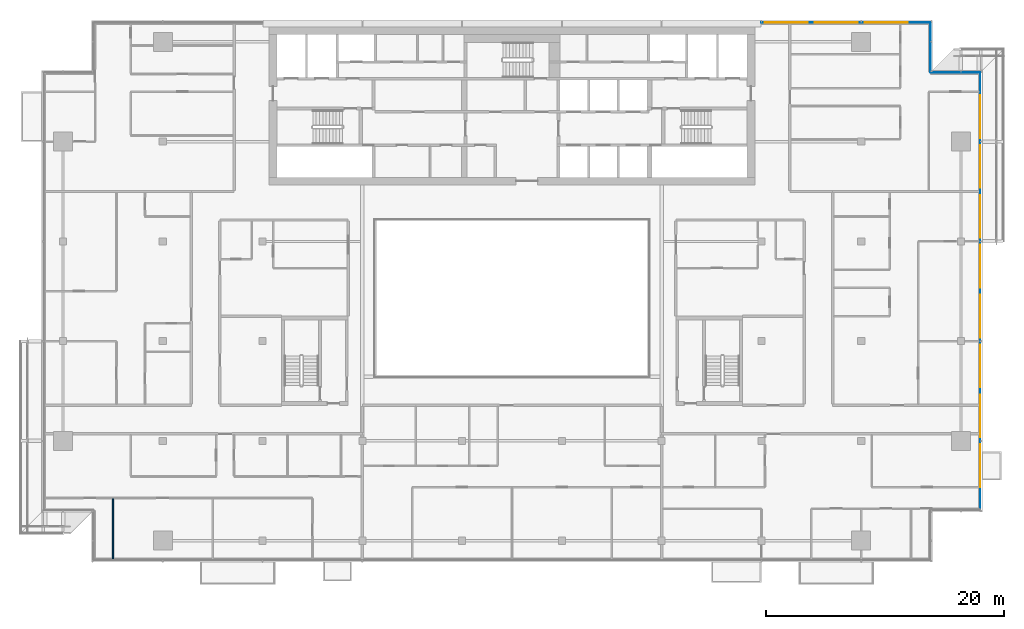
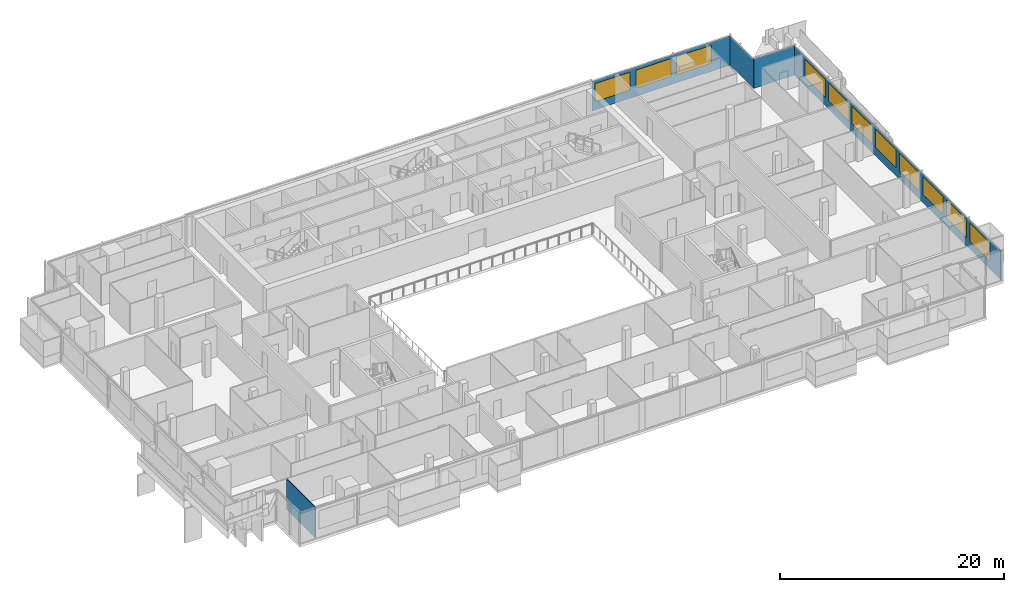
# One storey, part 17 of 30: 11 windows, 4 plates, 1 wall, 11 openings, 4 elements without a shape of their own.
"""IFC4 building model written with IfcOpenShell, lengths in metres."""

from ifc_helpers import new_model, si_unit, direction, frame, frame_2d, origin, place, context, subcontext, project, spatial, rectangle, extrude, material, layer, layer_set, type_object, element, fill, aggregate, save


model = new_model("IFC4")

# Units and contexts
model_context = context("Model", 3, precision=1e-05, world=origin(), true_north=direction((0.0, 1.0)))
body_context = subcontext(model_context, "Body", "Model", "MODEL_VIEW")
ifc_project = project(units=[si_unit("LENGTHUNIT", "METRE"), si_unit("AREAUNIT", "SQUARE_METRE"), si_unit("VOLUMEUNIT", "CUBIC_METRE"), si_unit("PLANEANGLEUNIT", "RADIAN"), si_unit("MASSUNIT", "GRAM", prefix="KILO")], contexts=[model_context])

# Site, building, storey
site_placement = place(None, origin())
site = spatial("IfcSite", under=ifc_project, at=site_placement, CompositionType="ELEMENT")
building_placement = place(site_placement, origin())
building = spatial("IfcBuilding", under=site, at=building_placement, Name="Saffron Gate Tower", CompositionType="ELEMENT")
storey_placement = place(building_placement, frame((0.0, 0.0, 223.5)))
storey = spatial("IfcBuildingStorey", under=building, at=storey_placement, Name="L54", CompositionType="ELEMENT", Elevation=223.5)

# Curtain wall, plate, openings, windows
ifc_material_1 = material(Name="Aluminium, bronze anodised", Category="aluminium")
curtain_wall_type_1 = type_object("IfcCurtainWallType", Name="CWS2 curtain wall side facades", PredefinedType="NOTDEFINED", material=ifc_material_1)
curtain_wall_1_placement = place(storey_placement, origin())
curtain_wall_1 = element("IfcCurtainWall", 1, at=curtain_wall_1_placement, inside=storey, type_object=curtain_wall_type_1, Name="CWS2 run 4", PredefinedType="NOTDEFINED")
ifc_material_2 = material(Name="Fritted bronze-tinted laminated glass", Category="glass")
ifc_layer_1 = layer(ifc_material_2, 0.028076171875)
ifc_layer_set_1 = layer_set([ifc_layer_1], Name="CWS2 fixed glass")
plate_type_1 = type_object("IfcPlateType", Name="CWS2 fixed glass", PredefinedType="CURTAIN_PANEL", material=ifc_layer_set_1)
plate_1_placement = place(storey_placement, frame((127.02587890625, 34.387939453125, 0.0), z_axis=(0.0, 0.0, 1.0), x_axis=(0.0, 1.0, 0.0)))
plate_1 = element("IfcPlate", 2, at=plate_1_placement, type_object=plate_type_1, Name="CWS2 glass panel", PredefinedType="CURTAIN_PANEL", context=body_context, shape_type="SweptSolid", body=[
    extrude(rectangle(XDim=36.823974609375, YDim=0.028076171875, at=frame_2d((18.412109375, 0.0))), origin(), (0.0, 0.0, 1.0), 3.199951171875),
])
opening_1_placement = place(plate_1_placement, frame((1.912109375, 0.0, 0.89990234375)))
opening_1 = element("IfcOpeningElement", 3, at=opening_1_placement, cuts=plate_1, Name="Opening W1", PredefinedType="OPENING", context=body_context, shape_type="SweptSolid", body=[
    extrude(rectangle(XDim=3.60009765625, YDim=1.949951171875, at=frame_2d((1.800048828125, 0.97509765625))), frame((0.0, 0.02392578125, 0.0), z_axis=(0.0, -1.0, 0.0), x_axis=(1.0, 0.0, 0.0)), (0.0, 0.0, 1.0), 0.048095703125),
])
opening_2_placement = place(plate_1_placement, frame((6.112060546875, 0.0, 0.89990234375)))
opening_2 = element("IfcOpeningElement", 4, at=opening_2_placement, cuts=plate_1, Name="Opening W1", PredefinedType="OPENING", context=body_context, shape_type="SweptSolid", body=[
    extrude(rectangle(XDim=3.60009765625, YDim=1.949951171875, at=frame_2d((1.800048828125, 0.97509765625))), frame((0.0, 0.02392578125, 0.0), z_axis=(0.0, -1.0, 0.0), x_axis=(1.0, 0.0, 0.0)), (0.0, 0.0, 1.0), 0.048095703125),
])
opening_3_placement = place(plate_1_placement, frame((10.31201171875, 0.0, 0.89990234375)))
opening_3 = element("IfcOpeningElement", 5, at=opening_3_placement, cuts=plate_1, Name="Opening W1", PredefinedType="OPENING", context=body_context, shape_type="SweptSolid", body=[
    extrude(rectangle(XDim=3.60009765625, YDim=1.949951171875, at=frame_2d((1.800048828125, 0.97509765625))), frame((0.0, 0.02392578125, 0.0), z_axis=(0.0, -1.0, 0.0), x_axis=(1.0, 0.0, 0.0)), (0.0, 0.0, 1.0), 0.048095703125),
])
opening_4_placement = place(plate_1_placement, frame((14.511962890625, 0.0, 0.89990234375)))
opening_4 = element("IfcOpeningElement", 6, at=opening_4_placement, cuts=plate_1, Name="Opening W1", PredefinedType="OPENING", context=body_context, shape_type="SweptSolid", body=[
    extrude(rectangle(XDim=3.60009765625, YDim=1.949951171875, at=frame_2d((1.800048828125, 0.97509765625))), frame((0.0, 0.02392578125, 0.0), z_axis=(0.0, -1.0, 0.0), x_axis=(1.0, 0.0, 0.0)), (0.0, 0.0, 1.0), 0.048095703125),
])
opening_5_placement = place(plate_1_placement, frame((18.7119140625, 0.0, 0.89990234375)))
opening_5 = element("IfcOpeningElement", 7, at=opening_5_placement, cuts=plate_1, Name="Opening W1", PredefinedType="OPENING", context=body_context, shape_type="SweptSolid", body=[
    extrude(rectangle(XDim=3.60009765625, YDim=1.949951171875, at=frame_2d((1.800048828125, 0.97509765625))), frame((0.0, 0.02392578125, 0.0), z_axis=(0.0, -1.0, 0.0), x_axis=(1.0, 0.0, 0.0)), (0.0, 0.0, 1.0), 0.048095703125),
])
opening_6_placement = place(plate_1_placement, frame((22.912109375, 0.0, 0.89990234375)))
opening_6 = element("IfcOpeningElement", 8, at=opening_6_placement, cuts=plate_1, Name="Opening W1", PredefinedType="OPENING", context=body_context, shape_type="SweptSolid", body=[
    extrude(rectangle(XDim=3.60009765625, YDim=1.949951171875, at=frame_2d((1.800048828125, 0.97509765625))), frame((0.0, 0.02392578125, 0.0), z_axis=(0.0, -1.0, 0.0), x_axis=(1.0, 0.0, 0.0)), (0.0, 0.0, 1.0), 0.048095703125),
])
opening_7_placement = place(plate_1_placement, frame((27.112060546875, 0.0, 0.89990234375)))
opening_7 = element("IfcOpeningElement", 9, at=opening_7_placement, cuts=plate_1, Name="Opening W1", PredefinedType="OPENING", context=body_context, shape_type="SweptSolid", body=[
    extrude(rectangle(XDim=3.60009765625, YDim=1.949951171875, at=frame_2d((1.800048828125, 0.97509765625))), frame((0.0, 0.02392578125, 0.0), z_axis=(0.0, -1.0, 0.0), x_axis=(1.0, 0.0, 0.0)), (0.0, 0.0, 1.0), 0.048095703125),
])
opening_8_placement = place(plate_1_placement, frame((31.31201171875, 0.0, 0.89990234375)))
opening_8 = element("IfcOpeningElement", 10, at=opening_8_placement, cuts=plate_1, Name="Opening W1", PredefinedType="OPENING", context=body_context, shape_type="SweptSolid", body=[
    extrude(rectangle(XDim=3.60009765625, YDim=1.949951171875, at=frame_2d((1.800048828125, 0.97509765625))), frame((0.0, 0.02392578125, 0.0), z_axis=(0.0, -1.0, 0.0), x_axis=(1.0, 0.0, 0.0)), (0.0, 0.0, 1.0), 0.048095703125),
])
ifc_material_3 = material(Name="Fritted bronze-tinted laminated glass in bronze frame", Category="glass")
ifc_layer_2 = layer(ifc_material_3, 0.06005859375)
ifc_layer_set_2 = layer_set([ifc_layer_2], Name="W1 operable panel 3600x1950")
window_type = type_object("IfcWindowType", Name="W1 operable panel 3600x1950", PartitioningType="DOUBLE_PANEL_HORIZONTAL", PredefinedType="WINDOW", material=ifc_layer_set_2)
window_1_placement = place(opening_1_placement, origin())
window_1 = element("IfcWindow", 11, at=window_1_placement, type_object=window_type, Name="W1 operable panel", OverallHeight=1.949951171875, OverallWidth=3.60009765625, PartitioningType="SINGLE_PANEL", PredefinedType="WINDOW", context=body_context, shape_type="SweptSolid", body=[
    extrude(rectangle(XDim=3.60009765625, YDim=1.949951171875, at=frame_2d((1.800048828125, 0.97509765625))), frame((0.0, 0.013671875, 0.0), z_axis=(0.0, -1.0, 0.0), x_axis=(1.0, 0.0, 0.0)), (0.0, 0.0, 1.0), 0.027587890625),
])
fill(opening_1, window_1)
window_2_placement = place(opening_2_placement, origin())
window_2 = element("IfcWindow", 12, at=window_2_placement, type_object=window_type, Name="W1 operable panel", OverallHeight=1.949951171875, OverallWidth=3.60009765625, PartitioningType="SINGLE_PANEL", PredefinedType="WINDOW", context=body_context, shape_type="SweptSolid", body=[
    extrude(rectangle(XDim=3.60009765625, YDim=1.949951171875, at=frame_2d((1.800048828125, 0.97509765625))), frame((0.0, 0.013671875, 0.0), z_axis=(0.0, -1.0, 0.0), x_axis=(1.0, 0.0, 0.0)), (0.0, 0.0, 1.0), 0.027587890625),
])
fill(opening_2, window_2)
window_3_placement = place(opening_3_placement, origin())
window_3 = element("IfcWindow", 13, at=window_3_placement, type_object=window_type, Name="W1 operable panel", OverallHeight=1.949951171875, OverallWidth=3.60009765625, PartitioningType="SINGLE_PANEL", PredefinedType="WINDOW", context=body_context, shape_type="SweptSolid", body=[
    extrude(rectangle(XDim=3.60009765625, YDim=1.949951171875, at=frame_2d((1.800048828125, 0.97509765625))), frame((0.0, 0.013671875, 0.0), z_axis=(0.0, -1.0, 0.0), x_axis=(1.0, 0.0, 0.0)), (0.0, 0.0, 1.0), 0.027587890625),
])
fill(opening_3, window_3)
window_4_placement = place(opening_4_placement, origin())
window_4 = element("IfcWindow", 14, at=window_4_placement, type_object=window_type, Name="W1 operable panel", OverallHeight=1.949951171875, OverallWidth=3.60009765625, PartitioningType="SINGLE_PANEL", PredefinedType="WINDOW", context=body_context, shape_type="SweptSolid", body=[
    extrude(rectangle(XDim=3.60009765625, YDim=1.949951171875, at=frame_2d((1.800048828125, 0.97509765625))), frame((0.0, 0.013671875, 0.0), z_axis=(0.0, -1.0, 0.0), x_axis=(1.0, 0.0, 0.0)), (0.0, 0.0, 1.0), 0.027587890625),
])
fill(opening_4, window_4)
window_5_placement = place(opening_5_placement, origin())
window_5 = element("IfcWindow", 15, at=window_5_placement, type_object=window_type, Name="W1 operable panel", OverallHeight=1.949951171875, OverallWidth=3.60009765625, PartitioningType="SINGLE_PANEL", PredefinedType="WINDOW", context=body_context, shape_type="SweptSolid", body=[
    extrude(rectangle(XDim=3.60009765625, YDim=1.949951171875, at=frame_2d((1.800048828125, 0.97509765625))), frame((0.0, 0.013671875, 0.0), z_axis=(0.0, -1.0, 0.0), x_axis=(1.0, 0.0, 0.0)), (0.0, 0.0, 1.0), 0.027587890625),
])
fill(opening_5, window_5)
window_6_placement = place(opening_6_placement, origin())
window_6 = element("IfcWindow", 16, at=window_6_placement, type_object=window_type, Name="W1 operable panel", OverallHeight=1.949951171875, OverallWidth=3.60009765625, PartitioningType="SINGLE_PANEL", PredefinedType="WINDOW", context=body_context, shape_type="SweptSolid", body=[
    extrude(rectangle(XDim=3.60009765625, YDim=1.949951171875, at=frame_2d((1.800048828125, 0.97509765625))), frame((0.0, 0.013671875, 0.0), z_axis=(0.0, -1.0, 0.0), x_axis=(1.0, 0.0, 0.0)), (0.0, 0.0, 1.0), 0.027587890625),
])
fill(opening_6, window_6)
window_7_placement = place(opening_7_placement, origin())
window_7 = element("IfcWindow", 17, at=window_7_placement, type_object=window_type, Name="W1 operable panel", OverallHeight=1.949951171875, OverallWidth=3.60009765625, PartitioningType="SINGLE_PANEL", PredefinedType="WINDOW", context=body_context, shape_type="SweptSolid", body=[
    extrude(rectangle(XDim=3.60009765625, YDim=1.949951171875, at=frame_2d((1.800048828125, 0.97509765625))), frame((0.0, 0.013671875, 0.0), z_axis=(0.0, -1.0, 0.0), x_axis=(1.0, 0.0, 0.0)), (0.0, 0.0, 1.0), 0.027587890625),
])
fill(opening_7, window_7)
window_8_placement = place(opening_8_placement, origin())
window_8 = element("IfcWindow", 18, at=window_8_placement, type_object=window_type, Name="W1 operable panel", OverallHeight=1.949951171875, OverallWidth=3.60009765625, PartitioningType="SINGLE_PANEL", PredefinedType="WINDOW", context=body_context, shape_type="SweptSolid", body=[
    extrude(rectangle(XDim=3.60009765625, YDim=1.949951171875, at=frame_2d((1.800048828125, 0.97509765625))), frame((0.0, 0.013671875, 0.0), z_axis=(0.0, -1.0, 0.0), x_axis=(1.0, 0.0, 0.0)), (0.0, 0.0, 1.0), 0.027587890625),
])
fill(opening_8, window_8)
aggregate(curtain_wall_1, [plate_1, window_1, window_2, window_3, window_4, window_5, window_6, window_7, window_8])

curtain_wall_type_2 = type_object("IfcCurtainWallType", Name="CWS3 curtain wall rear facade", PredefinedType="NOTDEFINED", material=ifc_material_1)
curtain_wall_2_placement = place(storey_placement, origin())
curtain_wall_2 = element("IfcCurtainWall", 19, at=curtain_wall_2_placement, inside=storey, type_object=curtain_wall_type_2, Name="CWS3 run 7", PredefinedType="NOTDEFINED")
ifc_material_4 = material(Name="Fritted grey-tinted laminated glass", Category="glass")
ifc_layer_3 = layer(ifc_material_4, 0.028076171875)
ifc_layer_set_3 = layer_set([ifc_layer_3], Name="CWS3 fixed glass")
plate_type_2 = type_object("IfcPlateType", Name="CWS3 fixed glass", PredefinedType="CURTAIN_PANEL", material=ifc_layer_set_3)
plate_2_placement = place(storey_placement, frame((122.81201171875, 75.426025390625, 0.0), z_axis=(0.0, 0.0, 1.0), x_axis=(-1.0, 0.0, 0.0)))
plate_2 = element("IfcPlate", 20, at=plate_2_placement, type_object=plate_type_2, Name="CWS3 glass panel", PredefinedType="CURTAIN_PANEL", context=body_context, shape_type="SweptSolid", body=[
    extrude(rectangle(XDim=14.2470703125, YDim=0.028076171875, at=frame_2d((7.12353515625, 0.0))), origin(), (0.0, 0.0, 1.0), 3.199951171875),
])
opening_9_placement = place(plate_2_placement, frame((1.912109375, 0.0, 0.89990234375)))
opening_9 = element("IfcOpeningElement", 21, at=opening_9_placement, cuts=plate_2, Name="Opening W1", PredefinedType="OPENING", context=body_context, shape_type="SweptSolid", body=[
    extrude(rectangle(XDim=3.60009765625, YDim=1.949951171875, at=frame_2d((1.800048828125, 0.97509765625))), frame((0.0, 0.02392578125, 0.0), z_axis=(0.0, -1.0, 0.0), x_axis=(1.0, 0.0, 0.0)), (0.0, 0.0, 1.0), 0.048095703125),
])
opening_10_placement = place(plate_2_placement, frame((6.112060546875, 0.0, 0.89990234375)))
opening_10 = element("IfcOpeningElement", 22, at=opening_10_placement, cuts=plate_2, Name="Opening W1", PredefinedType="OPENING", context=body_context, shape_type="SweptSolid", body=[
    extrude(rectangle(XDim=3.60009765625, YDim=1.949951171875, at=frame_2d((1.800048828125, 0.97509765625))), frame((0.0, 0.02392578125, 0.0), z_axis=(0.0, -1.0, 0.0), x_axis=(1.0, 0.0, 0.0)), (0.0, 0.0, 1.0), 0.048095703125),
])
opening_11_placement = place(plate_2_placement, frame((10.31201171875, 0.0, 0.89990234375)))
opening_11 = element("IfcOpeningElement", 23, at=opening_11_placement, cuts=plate_2, Name="Opening W1", PredefinedType="OPENING", context=body_context, shape_type="SweptSolid", body=[
    extrude(rectangle(XDim=3.60009765625, YDim=1.949951171875, at=frame_2d((1.800048828125, 0.97509765625))), frame((0.0, 0.02392578125, 0.0), z_axis=(0.0, -1.0, 0.0), x_axis=(1.0, 0.0, 0.0)), (0.0, 0.0, 1.0), 0.048095703125),
])
window_9_placement = place(opening_9_placement, origin())
window_9 = element("IfcWindow", 24, at=window_9_placement, type_object=window_type, Name="W1 operable panel", OverallHeight=1.949951171875, OverallWidth=3.60009765625, PartitioningType="SINGLE_PANEL", PredefinedType="WINDOW", context=body_context, shape_type="SweptSolid", body=[
    extrude(rectangle(XDim=3.60009765625, YDim=1.949951171875, at=frame_2d((1.800048828125, 0.97509765625))), frame((0.0, 0.013671875, 0.0), z_axis=(0.0, -1.0, 0.0), x_axis=(1.0, 0.0, 0.0)), (0.0, 0.0, 1.0), 0.027587890625),
])
fill(opening_9, window_9)
window_10_placement = place(opening_10_placement, origin())
window_10 = element("IfcWindow", 25, at=window_10_placement, type_object=window_type, Name="W1 operable panel", OverallHeight=1.949951171875, OverallWidth=3.60009765625, PartitioningType="SINGLE_PANEL", PredefinedType="WINDOW", context=body_context, shape_type="SweptSolid", body=[
    extrude(rectangle(XDim=3.60009765625, YDim=1.949951171875, at=frame_2d((1.800048828125, 0.97509765625))), frame((0.0, 0.013671875, 0.0), z_axis=(0.0, -1.0, 0.0), x_axis=(1.0, 0.0, 0.0)), (0.0, 0.0, 1.0), 0.027587890625),
])
fill(opening_10, window_10)
window_11_placement = place(opening_11_placement, origin())
window_11 = element("IfcWindow", 26, at=window_11_placement, type_object=window_type, Name="W1 operable panel", OverallHeight=1.949951171875, OverallWidth=3.60009765625, PartitioningType="SINGLE_PANEL", PredefinedType="WINDOW", context=body_context, shape_type="SweptSolid", body=[
    extrude(rectangle(XDim=3.60009765625, YDim=1.949951171875, at=frame_2d((1.800048828125, 0.97509765625))), frame((0.0, 0.013671875, 0.0), z_axis=(0.0, -1.0, 0.0), x_axis=(1.0, 0.0, 0.0)), (0.0, 0.0, 1.0), 0.027587890625),
])
fill(opening_11, window_11)
aggregate(curtain_wall_2, [plate_2, window_9, window_10, window_11])

# Curtain wall, plate
curtain_wall_type_3 = type_object("IfcCurtainWallType", Name="CWS4 curtain wall corner returns", PredefinedType="NOTDEFINED", material=ifc_material_1)
curtain_wall_3_placement = place(storey_placement, origin())
curtain_wall_3 = element("IfcCurtainWall", 27, at=curtain_wall_3_placement, inside=storey, type_object=curtain_wall_type_3, Name="CWS4 run 5", PredefinedType="NOTDEFINED")
ifc_layer_4 = layer(ifc_material_2, 0.028076171875)
ifc_layer_set_4 = layer_set([ifc_layer_4], Name="CWS4 fixed glass")
plate_type_3 = type_object("IfcPlateType", Name="CWS4 fixed glass", PredefinedType="CURTAIN_PANEL", material=ifc_layer_set_4)
plate_3_placement = place(storey_placement, frame((127.011962890625, 71.22607421875, 0.0), z_axis=(0.0, 0.0, 1.0), x_axis=(-1.0, 0.0, 0.0)))
plate_3 = element("IfcPlate", 28, at=plate_3_placement, type_object=plate_type_3, Name="CWS4 glass panel", PredefinedType="CURTAIN_PANEL", context=body_context, shape_type="SweptSolid", body=[
    extrude(rectangle(XDim=4.171875, YDim=0.028076171875, at=frame_2d((2.0859375, 0.0))), origin(), (0.0, 0.0, 1.0), 3.199951171875),
])
aggregate(curtain_wall_3, [plate_3])

curtain_wall_4_placement = place(storey_placement, origin())
curtain_wall_4 = element("IfcCurtainWall", 29, at=curtain_wall_4_placement, inside=storey, type_object=curtain_wall_type_3, Name="CWS4 run 6", PredefinedType="NOTDEFINED")
plate_4_placement = place(storey_placement, frame((122.825927734375, 71.239990234375, 0.0), z_axis=(0.0, 0.0, 1.0), x_axis=(0.0, 1.0, 0.0)))
plate_4 = element("IfcPlate", 30, at=plate_4_placement, type_object=plate_type_3, Name="CWS4 glass panel", PredefinedType="CURTAIN_PANEL", context=body_context, shape_type="SweptSolid", body=[
    extrude(rectangle(XDim=4.172119140625, YDim=0.028076171875, at=frame_2d((2.0859375, 0.0))), origin(), (0.0, 0.0, 1.0), 3.199951171875),
])
aggregate(curtain_wall_4, [plate_4])

# Wall
ifc_material_5 = material(Name="Plasterboard on steel studs", Category="steel")
ifc_layer_5 = layer(ifc_material_5, 0.10009765625)
ifc_layer_set_5 = layer_set([ifc_layer_5], Name="PW1 Partition 100")
wall_type = type_object("IfcWallType", Name="PW1 Partition 100", PredefinedType="PARTITIONING", material=ifc_layer_set_5)
wall_placement = place(storey_placement, frame((54.0, 35.35009765625, 0.0), z_axis=(0.0, 0.0, 1.0), x_axis=(0.0, -1.0, 0.0)))
element("IfcWall", 31, at=wall_placement, inside=storey, type_object=wall_type, Name="Partition D2-59", PredefinedType="PARTITIONING", context=body_context, shape_type="SweptSolid", body=[
    extrude(rectangle(XDim=5.070068359375, YDim=0.10009765625, at=frame_2d((2.53515625, 0.0))), origin(), (0.0, 0.0, 1.0), 3.320068359375),
])

save(model, "model.ifc")
